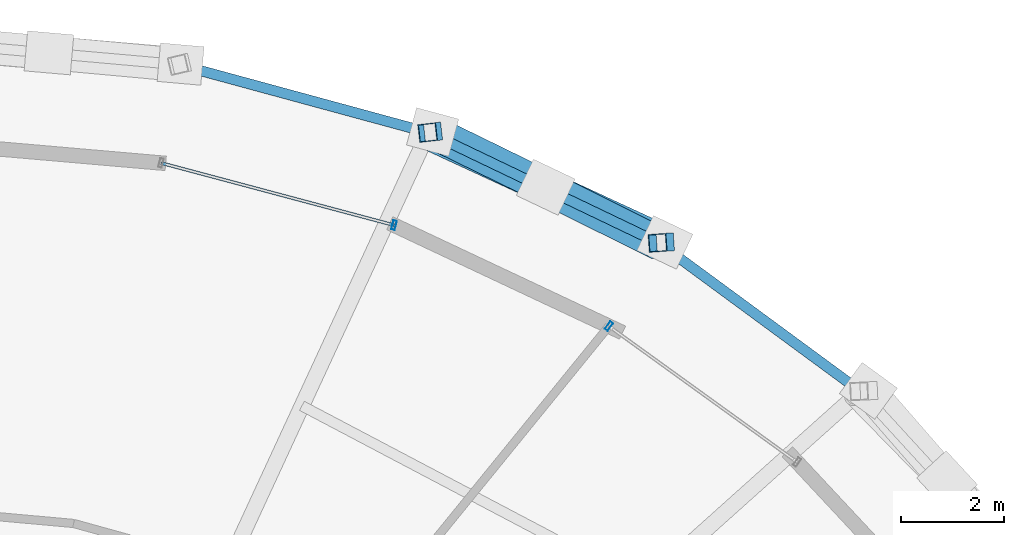
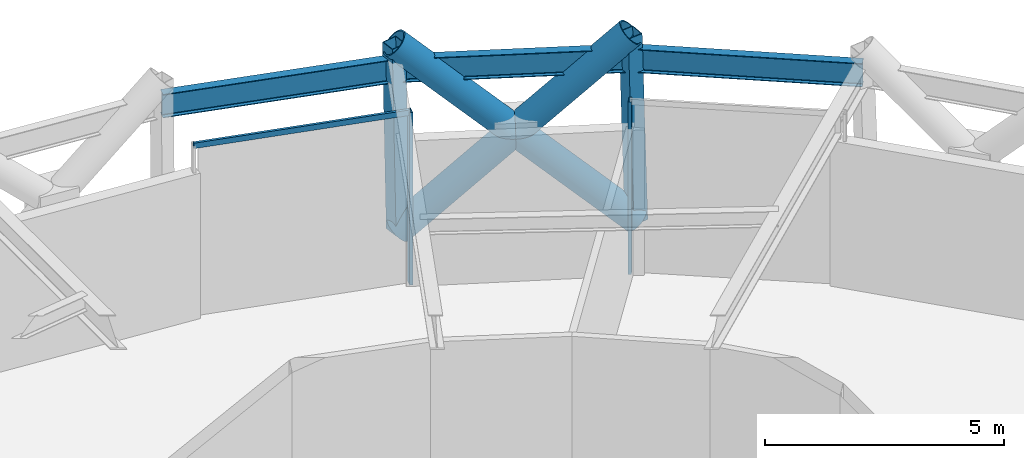
# One storey, part 22 of 29: 8 members, 3 beams, 2 elements without a shape of their own.
"""IFC4 building model written with IfcOpenShell, lengths in metres."""

from ifc_helpers import new_model, si_unit, direction, frame, origin, origin_2d, place, context, subcontext, project, spatial, hollow_rectangle, hollow_circle, i_section, extrude, material, layer, layer_set, material_profile, profile_set, type_object, element, aggregate, save


model = new_model("IFC4")

# Units and contexts
model_context = context("Model", 3, precision=1e-05, world=origin(), true_north=direction((0.0, 1.0)))
body_context = subcontext(model_context, "Body", "Model", "MODEL_VIEW")
ifc_project = project(units=[si_unit("LENGTHUNIT", "METRE"), si_unit("AREAUNIT", "SQUARE_METRE"), si_unit("VOLUMEUNIT", "CUBIC_METRE"), si_unit("PLANEANGLEUNIT", "RADIAN"), si_unit("MASSUNIT", "GRAM", prefix="KILO")], contexts=[model_context])

# Site, building, storey
site_placement = place(None, origin())
site = spatial("IfcSite", under=ifc_project, at=site_placement, CompositionType="ELEMENT")
building_placement = place(site_placement, origin())
building = spatial("IfcBuilding", under=site, at=building_placement, Name="Veldorina Hangang Commons", CompositionType="ELEMENT")
storey_placement = place(building_placement, frame((0.0, 0.0, 203.60009765625)))
storey = spatial("IfcBuildingStorey", under=building, at=storey_placement, Name="L53", CompositionType="ELEMENT", Elevation=203.60009765625)

# Beams
ifc_material_1 = material(Name="Steel SM420-TMC", Category="steel")
ifc_material_profile_1 = material_profile(ifc_material_1, i_section(OverallWidth=0.199951171875, OverallDepth=0.60009765625, WebThickness=0.010986328125, FlangeThickness=0.01708984375, FilletRadius=0.01806640625, at=origin_2d()), Name="H-600x200x11x17")
ifc_profile_set_1 = profile_set([ifc_material_profile_1], Name="Steel SM420-TMC")
beam_type = type_object("IfcBeamType", Name="BM-RB600", PredefinedType="BEAM", material=ifc_profile_set_1)
beam_1_placement = place(storey_placement, frame((50.302978515625, 40.399658203125, 4.139892578125), z_axis=(-0.805632711099, 0.592415339781, 0.0), x_axis=(-0.592415339781, -0.805632711099, 0.0)))
element("IfcBeam", 1, at=beam_1_placement, inside=storey, type_object=beam_type, Name="L53 perimeter hoop ring beam 04", PredefinedType="BEAM", context=body_context, shape_type="SweptSolid", body=[
    extrude(i_section(OverallWidth=0.199951171875, OverallDepth=0.60009765625, WebThickness=0.010986328125, FlangeThickness=0.01708984375, FilletRadius=0.01806640625, at=origin_2d()), origin(), (0.0, 0.0, 1.0), 4.86865234375),
])
beam_2_placement = place(storey_placement, frame((46.380615234375, 43.283935546875, 4.139892578125), z_axis=(-0.901914275, 0.431915084885, 0.0), x_axis=(-0.431915084885, -0.901914275, 0.0)))
element("IfcBeam", 2, at=beam_2_placement, inside=storey, type_object=beam_type, Name="L53 perimeter hoop ring beam 05", PredefinedType="BEAM", context=body_context, shape_type="SweptSolid", body=[
    extrude(i_section(OverallWidth=0.199951171875, OverallDepth=0.60009765625, WebThickness=0.010986328125, FlangeThickness=0.01708984375, FilletRadius=0.01806640625, at=origin_2d()), origin(), (0.0, 0.0, 1.0), 4.961669921875),
])
beam_3_placement = place(storey_placement, frame((41.905517578125, 45.427001953125, 4.139892578125), z_axis=(-0.964988520479, 0.262292118342, 0.0), x_axis=(-0.262292118342, -0.964988520479, 0.0)))
element("IfcBeam", 3, at=beam_3_placement, inside=storey, type_object=beam_type, Name="L53 perimeter hoop ring beam 06", PredefinedType="BEAM", context=body_context, shape_type="SweptSolid", body=[
    extrude(i_section(OverallWidth=0.199951171875, OverallDepth=0.60009765625, WebThickness=0.010986328125, FlangeThickness=0.01708984375, FilletRadius=0.01806640625, at=origin_2d()), origin(), (0.0, 0.0, 1.0), 5.031982421875),
])

# Curtain wall, member
ifc_material_2 = material(Name="Glass Acoustic Laminated", Category="glass")
ifc_layer = layer(ifc_material_2, 0.179931640625)
ifc_layer_set = layer_set([ifc_layer], Name="Glass Acoustic Laminated")
curtain_wall_type = type_object("IfcCurtainWallType", Name="CW-SYS-SKY", PredefinedType="NOTDEFINED", material=ifc_layer_set)
curtain_wall_1_placement = place(storey_placement, origin())
curtain_wall_1 = element("IfcCurtainWall", 4, at=curtain_wall_1_placement, inside=storey, type_object=curtain_wall_type, Name="L53 unitised curtain wall CW-L53-R1", PredefinedType="NOTDEFINED")
ifc_material_3 = material(Name="Aluminium Anodized AA6063-T6", Category="aluminium")
ifc_material_profile_2 = material_profile(ifc_material_3, hollow_rectangle(XDim=0.070068359375, YDim=0.179931640625, WallThickness=0.00390625, at=origin_2d()), Name="ALU-RHS-180x70x4")
ifc_profile_set_2 = profile_set([ifc_material_profile_2], Name="Aluminium Anodized AA6063-T6")
member_type_1 = type_object("IfcMemberType", Name="CW-MUL-180", PredefinedType="MULLION", material=ifc_profile_set_2)
member_1_placement = place(storey_placement, frame((45.414794921875, 41.662841796875, 0.0), z_axis=(0.0, 0.0, 1.0), x_axis=(0.810767641427, -0.58536811633, 0.0)))
member_1 = element("IfcMember", 5, at=member_1_placement, type_object=member_type_1, Name="CW-L53-R1 vertical mullion 2", PredefinedType="MULLION", context=body_context, shape_type="SweptSolid", body=[
    extrude(hollow_rectangle(XDim=0.070068359375, YDim=0.179931640625, WallThickness=0.00390625, at=origin_2d()), origin(), (0.0, 0.0, 1.0), 4.39990234375),
])
aggregate(curtain_wall_1, [member_1])

# Curtain wall, members
curtain_wall_2_placement = place(storey_placement, origin())
curtain_wall_2 = element("IfcCurtainWall", 6, at=curtain_wall_2_placement, inside=storey, type_object=curtain_wall_type, Name="L53 unitised curtain wall CW-L53-R2", PredefinedType="NOTDEFINED")
member_2_placement = place(storey_placement, frame((41.240234375, 43.6259765625, 0.0), z_axis=(0.0, 0.0, 1.0), x_axis=(-0.966187331518, 0.257841114671, 0.0)))
member_2 = element("IfcMember", 7, at=member_2_placement, type_object=member_type_1, Name="CW-L53-R2 vertical mullion 1", PredefinedType="MULLION", context=body_context, shape_type="SweptSolid", body=[
    extrude(hollow_rectangle(XDim=0.070068359375, YDim=0.179931640625, WallThickness=0.00390625, at=origin_2d()), origin(), (0.0, 0.0, 1.0), 4.39990234375),
])
ifc_material_profile_3 = material_profile(ifc_material_3, hollow_rectangle(XDim=0.06005859375, YDim=0.139892578125, WallThickness=0.00341796875, at=origin_2d()), Name="ALU-RHS-140x60x3.5")
ifc_profile_set_3 = profile_set([ifc_material_profile_3], Name="Aluminium Anodized AA6063-T6")
member_type_2 = type_object("IfcMemberType", Name="CW-TRN-140", PredefinedType="USERDEFINED", material=ifc_profile_set_3)
member_3_placement = place(storey_placement, frame((41.240234375, 43.6259765625, 4.35986328125), z_axis=(-0.966189113642, 0.257834436568, 0.0), x_axis=(-0.257834436568, -0.966189113642, 0.0)))
member_3 = element("IfcMember", 8, at=member_3_placement, type_object=member_type_2, Name="CW-L53-R2 facet 1 transom 1", ObjectType="TRANSOM", PredefinedType="USERDEFINED", context=body_context, shape_type="SweptSolid", body=[
    extrude(hollow_rectangle(XDim=0.06005859375, YDim=0.139892578125, WallThickness=0.00341796875, at=origin_2d()), origin(), (0.0, 0.0, 1.0), 4.68798828125),
])
aggregate(curtain_wall_2, [member_2, member_3])

# Members
ifc_material_4 = material(Name="Steel SM460-TMC", Category="steel")
ifc_material_profile_4 = material_profile(ifc_material_4, hollow_circle(Radius=0.324951171875, WallThickness=0.031982421875, at=origin_2d()), Name="CHS-650x32")
ifc_profile_set_4 = profile_set([ifc_material_profile_4], Name="Steel SM460-TMC")
member_type_3 = type_object("IfcMemberType", Name="DG-CHS650", PredefinedType="BRACE", material=ifc_profile_set_4)
member_4_placement = place(storey_placement, frame((46.50390625, 43.29248046875, 0.0), z_axis=(-0.659795012944, 0.305168291588, 0.686689780544), x_axis=(-0.419792349189, -0.907620175824, 0.0)))
element("IfcMember", 9, at=member_4_placement, inside=storey, type_object=member_type_3, Name="L53 continuous perimeter diagrid brace 05", PredefinedType="BRACE", context=body_context, shape_type="SweptSolid", body=[
    extrude(hollow_circle(Radius=0.324951171875, WallThickness=0.031982421875, at=origin_2d()), origin(), (0.0, 0.0, 1.0), 6.98974609375),
])
member_5_placement = place(storey_placement, frame((41.990478515625, 45.436767578125, 0.0), z_axis=(0.640145651545, -0.312571396667, 0.701792467039), x_axis=(0.438769700942, 0.89859954904, 0.0)))
element("IfcMember", 10, at=member_5_placement, inside=storey, type_object=member_type_3, Name="L53 split perimeter diagrid lower brace 06", PredefinedType="BRACE", context=body_context, shape_type="SweptSolid", body=[
    extrude(hollow_circle(Radius=0.324951171875, WallThickness=0.031982421875, at=origin_2d()), origin(), (0.0, 0.0, 1.0), 3.43359375),
])
member_6_placement = place(storey_placement, frame((44.1884765625, 44.363525390625, 2.40966796875), z_axis=(0.637853981657, -0.317385934462, 0.701718224567), x_axis=(0.445482339348, 0.895290726708, 0.0)))
element("IfcMember", 11, at=member_6_placement, inside=storey, type_object=member_type_3, Name="L53 split perimeter diagrid upper brace 06", PredefinedType="BRACE", context=body_context, shape_type="SweptSolid", body=[
    extrude(hollow_circle(Radius=0.324951171875, WallThickness=0.031982421875, at=origin_2d()), origin(), (0.0, 0.0, 1.0), 3.406005859375),
])
ifc_material_5 = material(Name="Steel SM355-TMC", Category="steel")
ifc_material_profile_5 = material_profile(ifc_material_5, hollow_rectangle(XDim=0.35009765625, YDim=0.35009765625, WallThickness=0.01611328125, at=origin_2d()), Name="SHS-350x350x16")
ifc_profile_set_5 = profile_set([ifc_material_profile_5], Name="Steel SM355-TMC")
member_type_4 = type_object("IfcMemberType", Name="STR-SHS350", PredefinedType="STRUT", material=ifc_profile_set_5)
member_7_placement = place(storey_placement, frame((46.50390625, 43.29248046875, 0.0), z_axis=(-0.02974262049, -0.002084525539, 0.999555416813), x_axis=(0.069913972648, -0.997553024369, 0.0)))
element("IfcMember", 12, at=member_7_placement, inside=storey, type_object=member_type_4, Name="L53 perimeter ring node post 05", PredefinedType="STRUT", context=body_context, shape_type="SweptSolid", body=[
    extrude(hollow_rectangle(XDim=0.35009765625, YDim=0.35009765625, WallThickness=0.01611328125, at=origin_2d()), origin(), (0.0, 0.0, 1.0), 4.802001953125),
])
member_8_placement = place(storey_placement, frame((41.990478515625, 45.436767578125, 0.0), z_axis=(-0.020494112741, -0.002339278377, 0.999787236926), x_axis=(0.11340752746, -0.993548555792, 0.0)))
element("IfcMember", 13, at=member_8_placement, inside=storey, type_object=member_type_4, Name="L53 perimeter ring node post 06", PredefinedType="STRUT", context=body_context, shape_type="SweptSolid", body=[
    extrude(hollow_rectangle(XDim=0.35009765625, YDim=0.35009765625, WallThickness=0.01611328125, at=origin_2d()), origin(), (0.0, 0.0, 1.0), 4.80078125),
])

save(model, "model.ifc")
